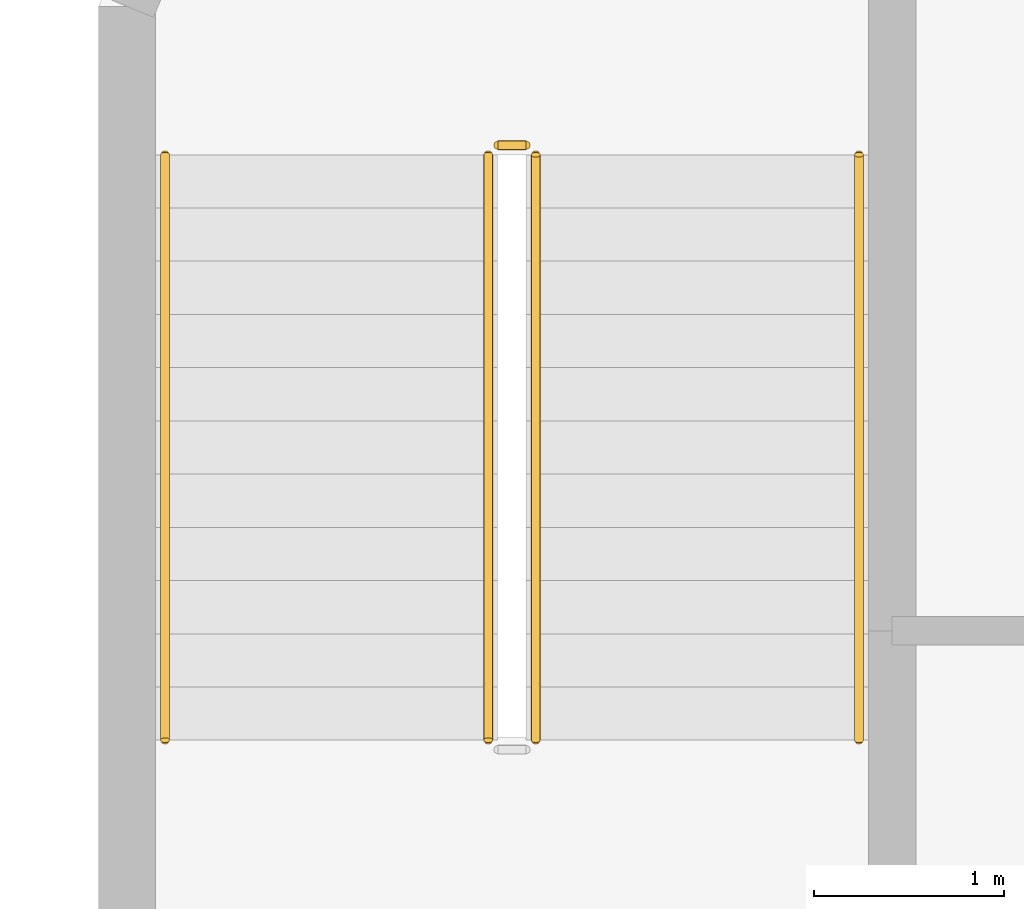
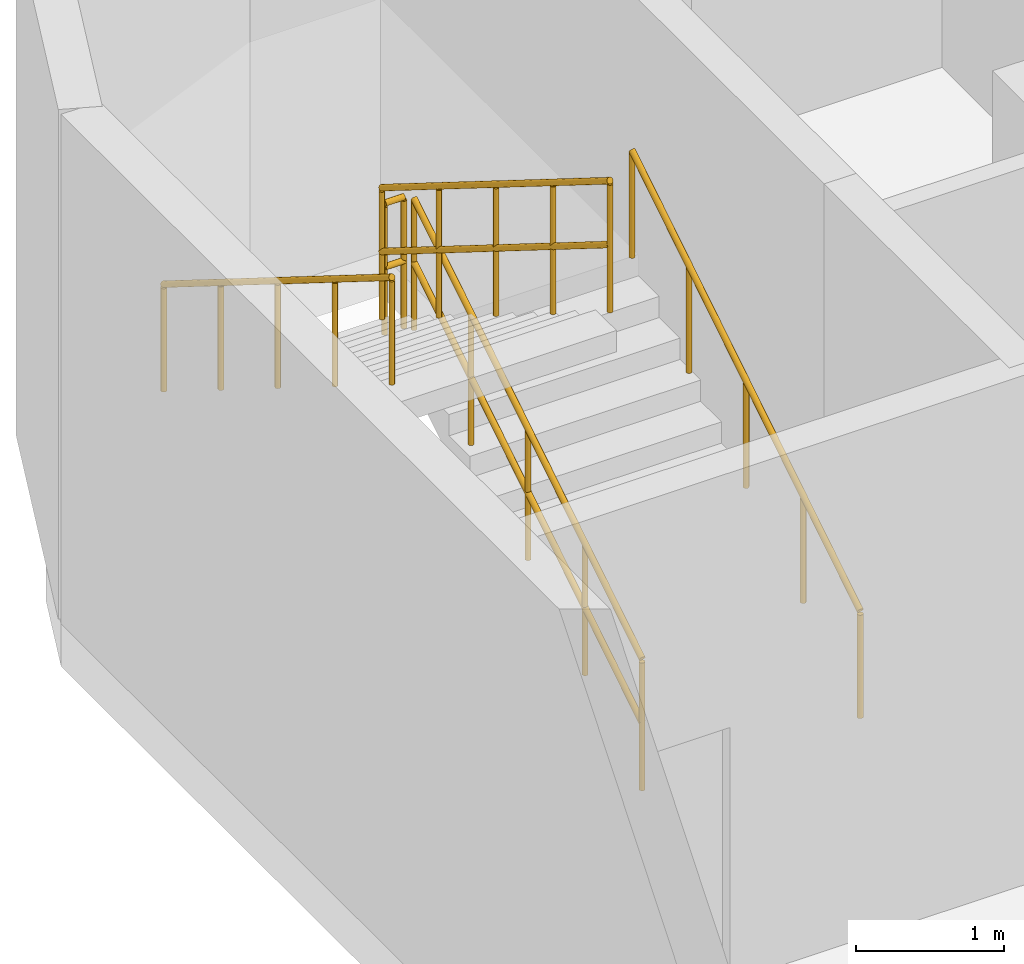
# One storey, part 45 of 47: 5 railings.
"""IFC4 building model written with IfcOpenShell, lengths in metres."""

from ifc_helpers import new_model, si_unit, direction, frame, origin, origin_2d, place, context, subcontext, project, spatial, circle, extrude, material, type_object, element, save


model = new_model("IFC4")

# Units and contexts
model_context = context("Model", 3, precision=1e-05, world=origin(), true_north=direction((0.0, 1.0)))
body_context = subcontext(model_context, "Body", "Model", "MODEL_VIEW")
ifc_project = project(units=[si_unit("LENGTHUNIT", "METRE"), si_unit("AREAUNIT", "SQUARE_METRE"), si_unit("VOLUMEUNIT", "CUBIC_METRE"), si_unit("PLANEANGLEUNIT", "RADIAN"), si_unit("MASSUNIT", "GRAM", prefix="KILO")], contexts=[model_context])

# Site, building, storey
site_placement = place(None, origin())
site = spatial("IfcSite", under=ifc_project, at=site_placement, CompositionType="ELEMENT")
building_placement = place(site_placement, origin())
building = spatial("IfcBuilding", under=site, at=building_placement, Name="Nakaniwa Court", CompositionType="ELEMENT")
storey_placement = place(building_placement, frame((0.0, 0.0, 15.60009765625)))
storey = spatial("IfcBuildingStorey", under=building, at=storey_placement, Name="L03", CompositionType="ELEMENT", Elevation=15.60009765625)

# Railings
ifc_material_1 = material(Name="Black powder-coated steel flat bar balustrade S275", Category="steel")
railing_type_1 = type_object("IfcRailingType", Name="Hall guard 1100", PredefinedType="GUARDRAIL", material=ifc_material_1)
railing_1_placement = place(storey_placement, frame((154.300048828125, 97.139892578125, 0.1748046875)))
element("IfcRailing", 1, at=railing_1_placement, inside=storey, type_object=railing_type_1, Name="L03 ST-H2 stair guard 1", PredefinedType="GUARDRAIL", context=body_context, shape_type="SweptSolid", body=[
    extrude(circle(Radius=0.02392578125, at=origin_2d()), frame((0.0, 0.0, 1.076171875), z_axis=(0.0, 0.847998304005, 0.529998940003), x_axis=(-1.0, 0.0, 0.0)), (0.0, 0.0, 1.0), 3.632080078125),
    extrude(circle(Radius=0.02392578125, at=origin_2d()), frame((0.0, 0.0, 0.550048828125), z_axis=(0.0, 0.847998304005, 0.529998940003), x_axis=(-1.0, 0.0, 0.0)), (0.0, 0.0, 1.0), 3.632080078125),
    extrude(circle(Radius=0.02099609375, at=origin_2d()), origin(), (0.0, 0.0, 1.0), 1.052001953125),
    extrude(circle(Radius=0.02099609375, at=origin_2d()), frame((0.0, 0.77001953125, 0.481201171875)), (0.0, 0.0, 1.0), 1.052001953125),
    extrude(circle(Radius=0.02099609375, at=origin_2d()), frame((0.0, 1.5400390625, 0.96240234375)), (0.0, 0.0, 1.0), 1.052001953125),
    extrude(circle(Radius=0.02099609375, at=origin_2d()), frame((0.0, 2.31005859375, 1.44384765625)), (0.0, 0.0, 1.0), 1.052001953125),
    extrude(circle(Radius=0.02099609375, at=origin_2d()), frame((0.0, 3.080078125, 1.925048828125)), (0.0, 0.0, 1.0), 1.052001953125),
])
railing_2_placement = place(storey_placement, frame((154.25, 100.27001953125, 2.099853515625)))
element("IfcRailing", 2, at=railing_2_placement, inside=storey, type_object=railing_type_1, Name="L03 ST-H2 stair guard 2", PredefinedType="GUARDRAIL", context=body_context, shape_type="SweptSolid", body=[
    extrude(circle(Radius=0.02392578125, at=origin_2d()), frame((0.0, 0.0, 1.076171875), z_axis=(-1.0, 0.0, 0.0), x_axis=(0.0, -1.0, 0.0)), (0.0, 0.0, 1.0), 0.14990234375),
    extrude(circle(Radius=0.02392578125, at=origin_2d()), frame((0.0, 0.0, 0.550048828125), z_axis=(-1.0, 0.0, 0.0), x_axis=(0.0, -1.0, 0.0)), (0.0, 0.0, 1.0), 0.14990234375),
    extrude(circle(Radius=0.02099609375, at=origin_2d()), origin(), (0.0, 0.0, 1.0), 1.052001953125),
    extrude(circle(Radius=0.02099609375, at=origin_2d()), frame((-0.14990234375, 0.0, 0.0)), (0.0, 0.0, 1.0), 1.052001953125),
])
railing_3_placement = place(storey_placement, frame((154.050048828125, 100.219970703125, 2.27490234375)))
element("IfcRailing", 3, at=railing_3_placement, inside=storey, type_object=railing_type_1, Name="L03 ST-H2 stair guard 3", PredefinedType="GUARDRAIL", context=body_context, shape_type="SweptSolid", body=[
    extrude(circle(Radius=0.02392578125, at=origin_2d()), frame((0.0, 0.0, 1.076171875), z_axis=(0.0, -0.847998304005, 0.529998940003), x_axis=(1.0, 0.0, 0.0)), (0.0, 0.0, 1.0), 3.632080078125),
    extrude(circle(Radius=0.02392578125, at=origin_2d()), frame((0.0, 0.0, 0.550048828125), z_axis=(0.0, -0.847998304005, 0.529998940003), x_axis=(1.0, 0.0, 0.0)), (0.0, 0.0, 1.0), 3.632080078125),
    extrude(circle(Radius=0.02099609375, at=origin_2d()), origin(), (0.0, 0.0, 1.0), 1.052001953125),
    extrude(circle(Radius=0.02099609375, at=origin_2d()), frame((0.0, -0.77001953125, 0.481201171875)), (0.0, 0.0, 1.0), 1.052001953125),
    extrude(circle(Radius=0.02099609375, at=origin_2d()), frame((0.0, -1.5400390625, 0.96240234375)), (0.0, 0.0, 1.0), 1.052001953125),
    extrude(circle(Radius=0.02099609375, at=origin_2d()), frame((0.0, -2.31005859375, 1.44384765625)), (0.0, 0.0, 1.0), 1.052001953125),
    extrude(circle(Radius=0.02099609375, at=origin_2d()), frame((0.0, -3.080078125, 1.925048828125)), (0.0, 0.0, 1.0), 1.052001953125),
])
ifc_material_2 = material(Name="Brushed stainless steel handrail Grade 304", Category="steel")
railing_type_2 = type_object("IfcRailingType", Name="Hall stair handrail 900", PredefinedType="HANDRAIL", material=ifc_material_2)
railing_4_placement = place(storey_placement, frame((156.0, 97.139892578125, 0.1748046875)))
element("IfcRailing", 4, at=railing_4_placement, inside=storey, type_object=railing_type_2, Name="L03 ST-H2 stair handrail 1", PredefinedType="HANDRAIL", context=body_context, shape_type="SweptSolid", body=[
    extrude(circle(Radius=0.02392578125, at=origin_2d()), frame((0.0, 0.0, 0.8759765625), z_axis=(0.0, 0.847998304005, 0.529998940003), x_axis=(-1.0, 0.0, 0.0)), (0.0, 0.0, 1.0), 3.632080078125),
    extrude(circle(Radius=0.02099609375, at=origin_2d()), origin(), (0.0, 0.0, 1.0), 0.851806640625),
    extrude(circle(Radius=0.02099609375, at=origin_2d()), frame((0.0, 0.77001953125, 0.481201171875)), (0.0, 0.0, 1.0), 0.851806640625),
    extrude(circle(Radius=0.02099609375, at=origin_2d()), frame((0.0, 1.5400390625, 0.96240234375)), (0.0, 0.0, 1.0), 0.851806640625),
    extrude(circle(Radius=0.02099609375, at=origin_2d()), frame((0.0, 2.31005859375, 1.44384765625)), (0.0, 0.0, 1.0), 0.851806640625),
    extrude(circle(Radius=0.02099609375, at=origin_2d()), frame((0.0, 3.080078125, 1.925048828125)), (0.0, 0.0, 1.0), 0.851806640625),
])
railing_5_placement = place(storey_placement, frame((152.35009765625, 100.219970703125, 2.27490234375)))
element("IfcRailing", 5, at=railing_5_placement, inside=storey, type_object=railing_type_2, Name="L03 ST-H2 stair handrail 2", PredefinedType="HANDRAIL", context=body_context, shape_type="SweptSolid", body=[
    extrude(circle(Radius=0.02392578125, at=origin_2d()), frame((0.0, 0.0, 0.8759765625), z_axis=(0.0, -0.847998304005, 0.529998940003), x_axis=(1.0, 0.0, 0.0)), (0.0, 0.0, 1.0), 3.632080078125),
    extrude(circle(Radius=0.02099609375, at=origin_2d()), origin(), (0.0, 0.0, 1.0), 0.851806640625),
    extrude(circle(Radius=0.02099609375, at=origin_2d()), frame((0.0, -0.77001953125, 0.481201171875)), (0.0, 0.0, 1.0), 0.851806640625),
    extrude(circle(Radius=0.02099609375, at=origin_2d()), frame((0.0, -1.5400390625, 0.96240234375)), (0.0, 0.0, 1.0), 0.851806640625),
    extrude(circle(Radius=0.02099609375, at=origin_2d()), frame((0.0, -2.31005859375, 1.44384765625)), (0.0, 0.0, 1.0), 0.851806640625),
    extrude(circle(Radius=0.02099609375, at=origin_2d()), frame((0.0, -3.080078125, 1.925048828125)), (0.0, 0.0, 1.0), 0.851806640625),
])

save(model, "model.ifc")
